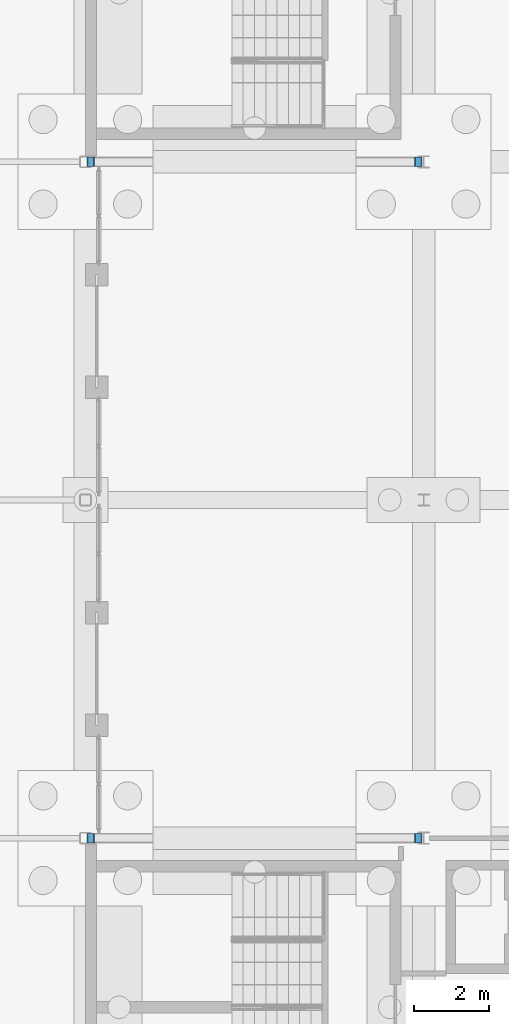
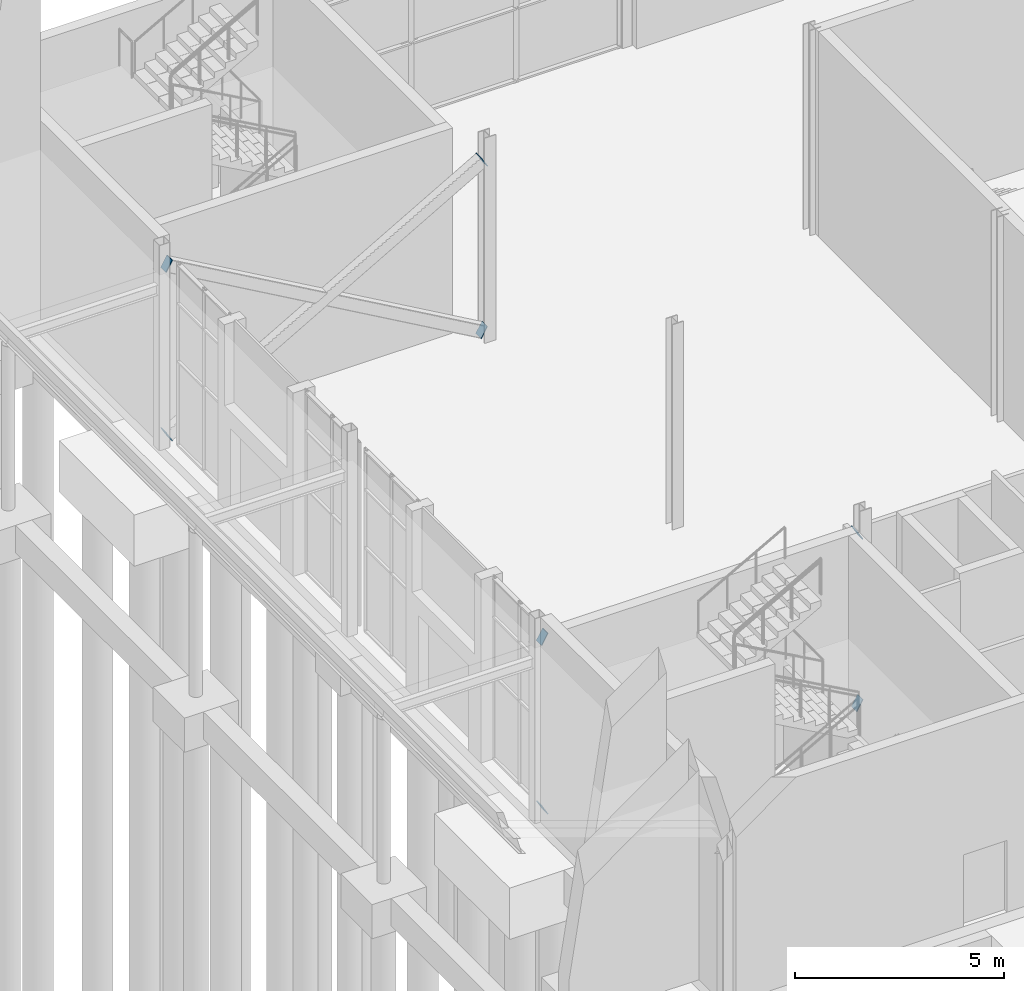
# One storey, part 124 of 139: 8 discrete accessories.
"""IFC4 building model written with IfcOpenShell, lengths in metres."""

from ifc_helpers import new_model, si_unit, direction, frame, origin, place, context, subcontext, project, spatial, polyline, outline, extrude, material, layer, layer_set, type_object, element, save


model = new_model("IFC4")

# Units and contexts
model_context = context("Model", 3, precision=1e-05, world=origin(), true_north=direction((0.0, 1.0)))
body_context = subcontext(model_context, "Body", "Model", "MODEL_VIEW")
ifc_project = project(units=[si_unit("LENGTHUNIT", "METRE"), si_unit("AREAUNIT", "SQUARE_METRE"), si_unit("VOLUMEUNIT", "CUBIC_METRE"), si_unit("PLANEANGLEUNIT", "RADIAN"), si_unit("MASSUNIT", "GRAM", prefix="KILO")], contexts=[model_context])

# Site, building, storey
site_placement = place(None, origin())
site = spatial("IfcSite", under=ifc_project, at=site_placement, CompositionType="ELEMENT")
building_placement = place(site_placement, origin())
building = spatial("IfcBuilding", under=site, at=building_placement, Name="Shorebreak Coast Museum", CompositionType="ELEMENT")
storey_placement = place(building_placement, origin())
storey = spatial("IfcBuildingStorey", under=building, at=storey_placement, Name="L00", CompositionType="ELEMENT", Elevation=0.0)

# Discrete accessories
ifc_material = material(Name="Steel Grade 300", Category="steel")
ifc_layer = layer(ifc_material, 0.02490234375)
ifc_layer_set = layer_set([ifc_layer], Name="Steel Grade 300")
discrete_accessory_type = type_object("IfcDiscreteAccessoryType", Name="End plate 250 x 350 x 25", PredefinedType="BRACKET", material=ifc_layer_set)
for number, where, z_axis, x_axis, name in (
    (1, (0.23681640625, 62.875, 0.148193359375), (0.86789946656, 0.0, 0.496739887613), (0.0, 1.0, 0.0), "End plate X-brace bay 05 L00 diagonal 1 end 1"),
    (2, (8.9541015625, 62.875, 5.135498046875), (0.86789946656, 0.0, 0.496739887613), (0.0, 1.0, 0.0), "End plate X-brace bay 05 L00 diagonal 1 end 2"),
    (3, (8.758544921875, 63.125, 0.148193359375), (-0.86789946656, 0.0, 0.496739887613), (0.0, -1.0, 0.0), "End plate X-brace bay 05 L00 diagonal 2 end 1"),
):
    element("IfcDiscreteAccessory", number, at=place(storey_placement, frame(where, z_axis=z_axis, x_axis=x_axis)), inside=storey, type_object=discrete_accessory_type, Name=name, PredefinedType="BRACKET", context=body_context, shape_type="SweptSolid", body=[
        extrude(outline(polyline([(0.0, 0.0), (0.25, 0.0), (0.25, 0.34993792392100703), (0.0, 0.34993792392100703), (0.0, 0.0)])), origin(), (0.0, 0.0, -1.0), 0.02490234375),
    ])
discrete_accessory_1_placement = place(storey_placement, frame((0.04150390625, 63.125, 5.135498046875), z_axis=(-0.868200190556, 0.0, 0.496214096049), x_axis=(0.0, -1.0, 0.0)))
element("IfcDiscreteAccessory", 4, at=discrete_accessory_1_placement, inside=storey, type_object=discrete_accessory_type, Name="End plate X-brace bay 05 L00 diagonal 2 end 2", PredefinedType="BRACKET", context=body_context, shape_type="SweptSolid", body=[
    extrude(outline(polyline([(0.0, 0.0), (0.25, 0.0), (0.25, 0.3498167137068055), (0.0, 0.3498167137068055), (0.0, 0.0)])), origin(), (0.0, 0.0, -1.0), 0.02490234375),
])
for number, where, z_axis, x_axis, name in (
    (5, (0.23681640625, 80.875, 0.148193359375), (0.86789946656, 0.0, 0.496739887613), (0.0, 1.0, 0.0), "End plate X-brace bay 06 L00 diagonal 1 end 1"),
    (6, (8.9541015625, 80.875, 5.135498046875), (0.86789946656, 0.0, 0.496739887613), (0.0, 1.0, 0.0), "End plate X-brace bay 06 L00 diagonal 1 end 2"),
    (7, (8.758544921875, 81.125, 0.148193359375), (-0.86789946656, 0.0, 0.496739887613), (0.0, -1.0, 0.0), "End plate X-brace bay 06 L00 diagonal 2 end 1"),
):
    element("IfcDiscreteAccessory", number, at=place(storey_placement, frame(where, z_axis=z_axis, x_axis=x_axis)), inside=storey, type_object=discrete_accessory_type, Name=name, PredefinedType="BRACKET", context=body_context, shape_type="SweptSolid", body=[
        extrude(outline(polyline([(0.0, 0.0), (0.25, 0.0), (0.25, 0.34993792392100703), (0.0, 0.34993792392100703), (0.0, 0.0)])), origin(), (0.0, 0.0, -1.0), 0.02490234375),
    ])
discrete_accessory_2_placement = place(storey_placement, frame((0.04150390625, 81.125, 5.135498046875), z_axis=(-0.868200190556, 0.0, 0.496214096049), x_axis=(0.0, -1.0, 0.0)))
element("IfcDiscreteAccessory", 8, at=discrete_accessory_2_placement, inside=storey, type_object=discrete_accessory_type, Name="End plate X-brace bay 06 L00 diagonal 2 end 2", PredefinedType="BRACKET", context=body_context, shape_type="SweptSolid", body=[
    extrude(outline(polyline([(0.0, 0.0), (0.25, 0.0), (0.25, 0.3498167137068055), (0.0, 0.3498167137068055), (0.0, 0.0)])), origin(), (0.0, 0.0, -1.0), 0.02490234375),
])

save(model, "model.ifc")
